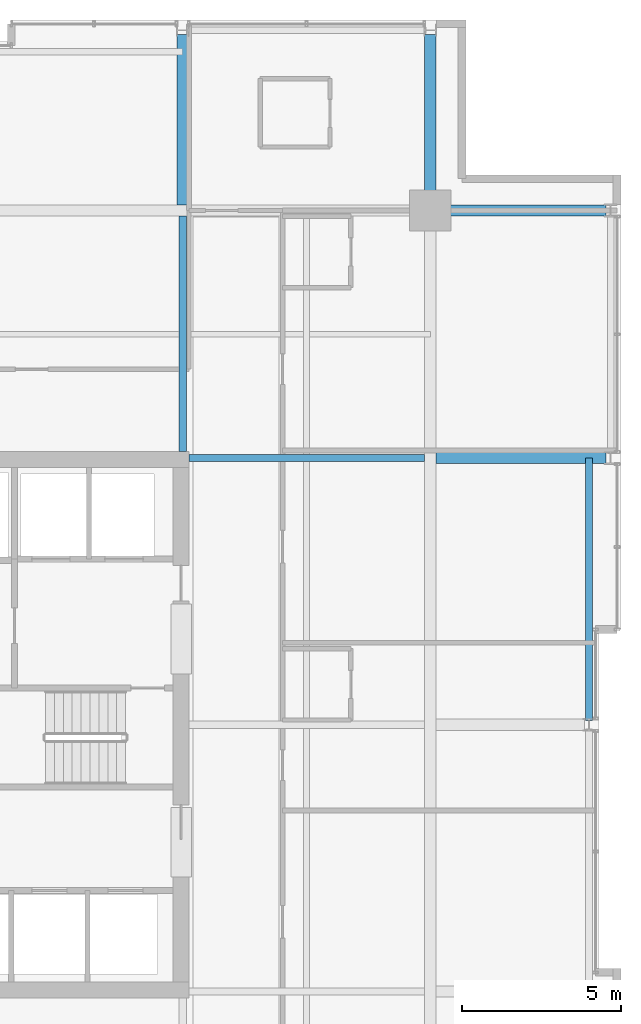
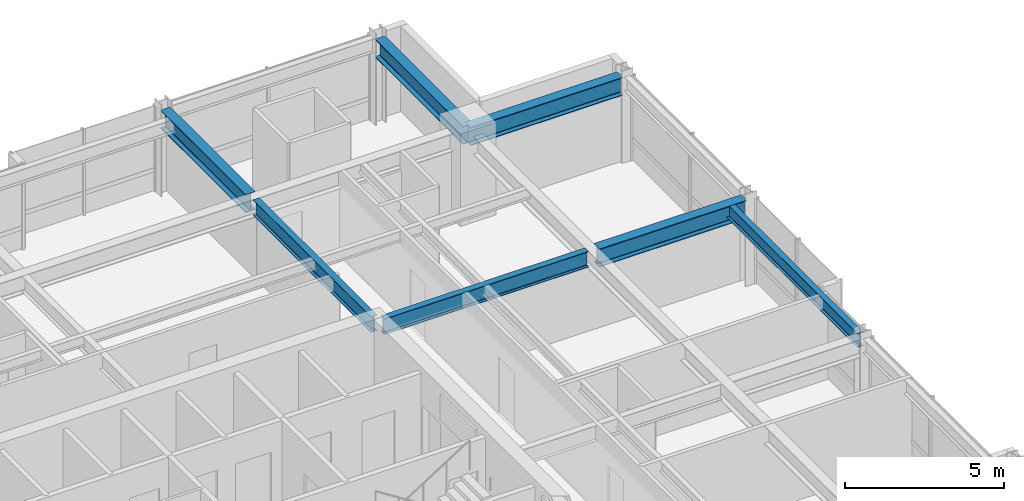
# One storey, part 22 of 32: 7 beams.
"""IFC4 building model written with IfcOpenShell, lengths in metres."""

from ifc_helpers import new_model, si_unit, direction, frame, origin, origin_2d, place, context, subcontext, project, spatial, i_section, extrude, material, material_profile, profile_set, type_object, element, save


model = new_model("IFC4")

# Units and contexts
model_context = context("Model", 3, precision=1e-05, world=origin(), true_north=direction((0.0, 1.0)))
body_context = subcontext(model_context, "Body", "Model", "MODEL_VIEW")
ifc_project = project(units=[si_unit("LENGTHUNIT", "METRE"), si_unit("AREAUNIT", "SQUARE_METRE"), si_unit("VOLUMEUNIT", "CUBIC_METRE"), si_unit("PLANEANGLEUNIT", "RADIAN"), si_unit("MASSUNIT", "GRAM", prefix="KILO")], contexts=[model_context])

# Site, building, storey
site_placement = place(None, origin())
site = spatial("IfcSite", under=ifc_project, at=site_placement, CompositionType="ELEMENT")
building_placement = place(site_placement, origin())
building = spatial("IfcBuilding", under=site, at=building_placement, Name="Drelvath Grand Hotel", CompositionType="ELEMENT")
storey_placement = place(building_placement, frame((0.0, 0.0, 193.0)))
storey = spatial("IfcBuildingStorey", under=building, at=storey_placement, Name="L50", CompositionType="ELEMENT", Elevation=193.0)

# Beams
ifc_material = material(Name="Steel ASTM A992 Gr 50", Category="steel")
ifc_material_profile_1 = material_profile(ifc_material, i_section(OverallWidth=0.210205078125, OverallDepth=0.53662109375, WebThickness=0.010986328125, FlangeThickness=0.017333984375, FilletRadius=0.01806640625, at=origin_2d()), Name="W21X68")
ifc_profile_set_1 = profile_set([ifc_material_profile_1], Name="Steel ASTM A992 Gr 50")
beam_type_1 = type_object("IfcBeamType", Name="Perimeter Spandrel Beam W21X68", PredefinedType="SPANDREL", material=ifc_profile_set_1)
beam_1_placement = place(storey_placement, frame((21.199951171875, 27.139892578125, 3.021484375), z_axis=(0.0, 1.0, 0.0), x_axis=(-1.0, 0.0, 0.0)))
element("IfcBeam", 1, at=beam_1_placement, inside=storey, type_object=beam_type_1, Name="L50 Spandrel East Mid N", PredefinedType="SPANDREL", context=body_context, shape_type="SweptSolid", body=[
    extrude(i_section(OverallWidth=0.210205078125, OverallDepth=0.53662109375, WebThickness=0.010986328125, FlangeThickness=0.017333984375, FilletRadius=0.01806640625, at=origin_2d()), origin(), (0.0, 0.0, 1.0), 8.260009765625),
])
ifc_material_profile_2 = material_profile(ifc_material, i_section(OverallWidth=0.228271484375, OverallDepth=0.607666015625, WebThickness=0.01123046875, FlangeThickness=0.017333984375, FilletRadius=0.02001953125, at=origin_2d()), Name="W24X76")
ifc_profile_set_2 = profile_set([ifc_material_profile_2], Name="Steel ASTM A992 Gr 50")
beam_type_2 = type_object("IfcBeamType", Name="Primary Floor Girder W24X76", PredefinedType="BEAM", material=ifc_profile_set_2)
for number, where, z_axis, x_axis, name in (
    (2, (8.60009765625, 35.39990234375, 2.986083984375), (1.0, 0.0, 0.0), (0.0, 1.0, 0.0), "L50 East Core Tie F"),
    (3, (8.39990234375, 35.60009765625, 2.986083984375), (0.0, 1.0, 0.0), (-1.0, 0.0, 0.0), "L50 North Core Tie 6"),
):
    element("IfcBeam", number, at=place(storey_placement, frame(where, z_axis=z_axis, x_axis=x_axis)), inside=storey, type_object=beam_type_2, Name=name, PredefinedType="BEAM", context=body_context, shape_type="SweptSolid", body=[
        extrude(i_section(OverallWidth=0.228271484375, OverallDepth=0.607666015625, WebThickness=0.01123046875, FlangeThickness=0.017333984375, FilletRadius=0.02001953125, at=origin_2d()), origin(), (0.0, 0.0, 1.0), 7.422607421875),
    ])
ifc_material_profile_3 = material_profile(ifc_material, i_section(OverallWidth=0.354736328125, OverallDepth=0.695556640625, WebThickness=0.015380859375, FlangeThickness=0.025146484375, FilletRadius=0.02392578125, at=origin_2d()), Name="W27X146")
ifc_profile_set_3 = profile_set([ifc_material_profile_3], Name="Steel ASTM A992 Gr 50")
beam_type_3 = type_object("IfcBeamType", Name="Primary Floor Girder W27X146", PredefinedType="BEAM", material=ifc_profile_set_3)
beam_2_placement = place(storey_placement, frame((16.199951171875, 43.199951171875, 2.9423828125), z_axis=(1.0, 0.0, 0.0), x_axis=(0.0, 1.0, 0.0)))
element("IfcBeam", 4, at=beam_2_placement, inside=storey, type_object=beam_type_3, Name="L50 East Grid Girder G", PredefinedType="BEAM", context=body_context, shape_type="SweptSolid", body=[
    extrude(i_section(OverallWidth=0.354736328125, OverallDepth=0.695556640625, WebThickness=0.015380859375, FlangeThickness=0.025146484375, FilletRadius=0.02392578125, at=origin_2d()), origin(), (0.0, 0.0, 1.0), 5.5400390625),
])
beam_3_placement = place(storey_placement, frame((16.37744140625, 35.39990234375, 2.9423828125), z_axis=(1.0, 0.0, 0.0), x_axis=(0.0, 1.0, 0.0)))
element("IfcBeam", 5, at=beam_3_placement, inside=storey, type_object=beam_type_3, Name="L50 East Wing Girder F", PredefinedType="BEAM", context=body_context, shape_type="SweptSolid", body=[
    extrude(i_section(OverallWidth=0.354736328125, OverallDepth=0.695556640625, WebThickness=0.015380859375, FlangeThickness=0.025146484375, FilletRadius=0.02392578125, at=origin_2d()), origin(), (0.0, 0.0, 1.0), 5.362548828125),
])
beam_4_placement = place(storey_placement, frame((16.199951171875, 43.199951171875, 2.9423828125), z_axis=(0.0, 1.0, 0.0), x_axis=(-1.0, 0.0, 0.0)))
element("IfcBeam", 6, at=beam_4_placement, inside=storey, type_object=beam_type_3, Name="L50 North Grid Girder 7", PredefinedType="BEAM", context=body_context, shape_type="SweptSolid", body=[
    extrude(i_section(OverallWidth=0.354736328125, OverallDepth=0.695556640625, WebThickness=0.015380859375, FlangeThickness=0.025146484375, FilletRadius=0.02392578125, at=origin_2d()), origin(), (0.0, 0.0, 1.0), 5.5400390625),
])
beam_5_placement = place(storey_placement, frame((8.39990234375, 43.37744140625, 2.9423828125), z_axis=(0.0, 1.0, 0.0), x_axis=(-1.0, 0.0, 0.0)))
element("IfcBeam", 7, at=beam_5_placement, inside=storey, type_object=beam_type_3, Name="L50 North Wing Girder 6", PredefinedType="BEAM", context=body_context, shape_type="SweptSolid", body=[
    extrude(i_section(OverallWidth=0.354736328125, OverallDepth=0.695556640625, WebThickness=0.015380859375, FlangeThickness=0.025146484375, FilletRadius=0.02392578125, at=origin_2d()), origin(), (0.0, 0.0, 1.0), 5.362548828125),
])

save(model, "model.ifc")
